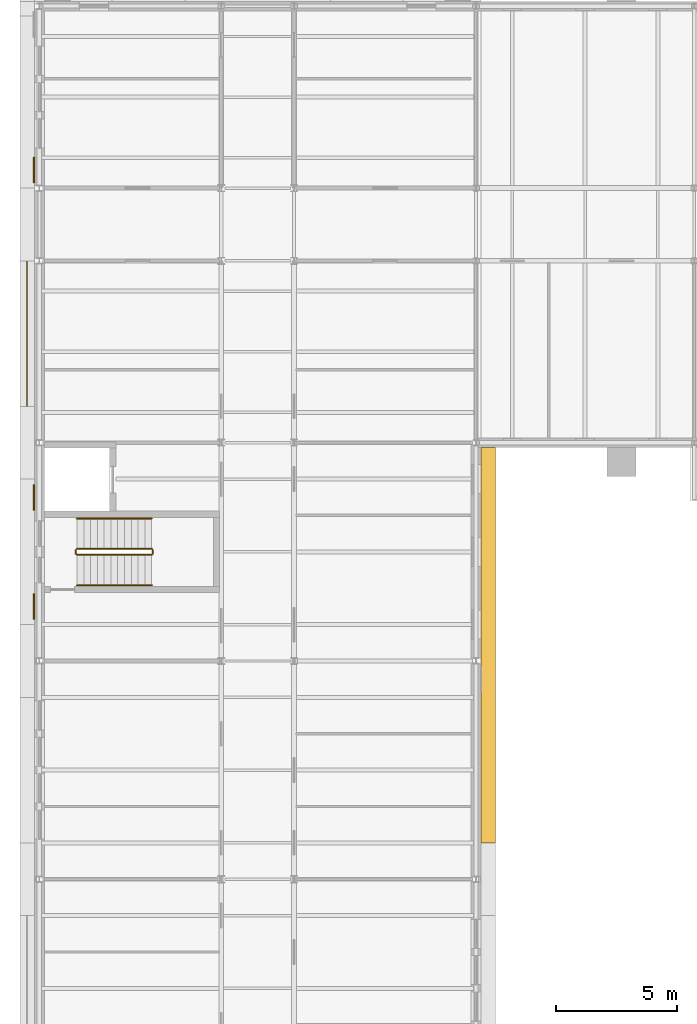
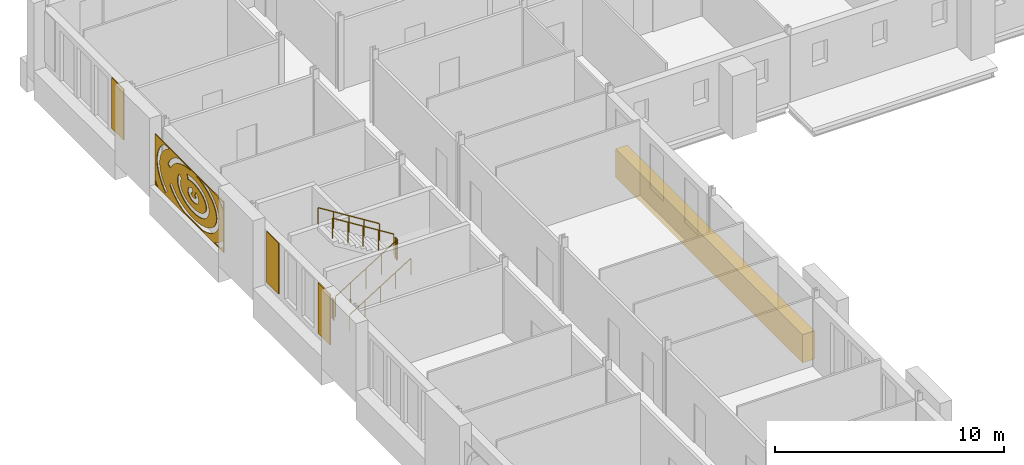
# One storey, part 118 of 121: 6 railings, 5 coverings.
"""IFC4 building model written with IfcOpenShell, lengths in metres."""

from ifc_helpers import new_model, si_unit, direction, frame, origin, origin_2d, place, context, subcontext, project, spatial, polyline, circle, outline, extrude, material, layer, layer_set, type_object, element, save


model = new_model("IFC4")

# Units and contexts
model_context = context("Model", 3, precision=1e-05, world=origin(), true_north=direction((0.0, 1.0)))
body_context = subcontext(model_context, "Body", "Model", "MODEL_VIEW")
ifc_project = project(units=[si_unit("LENGTHUNIT", "METRE"), si_unit("AREAUNIT", "SQUARE_METRE"), si_unit("VOLUMEUNIT", "CUBIC_METRE"), si_unit("PLANEANGLEUNIT", "RADIAN"), si_unit("MASSUNIT", "GRAM", prefix="KILO")], contexts=[model_context])

# Site, building, storey
site_placement = place(None, origin())
site = spatial("IfcSite", under=ifc_project, at=site_placement, CompositionType="ELEMENT")
building_placement = place(site_placement, origin())
building = spatial("IfcBuilding", under=site, at=building_placement, Name="Golden Quay Civic Hall", CompositionType="ELEMENT")
storey_placement = place(building_placement, frame((0.0, 0.0, 18.60009765625)))
storey = spatial("IfcBuildingStorey", under=building, at=storey_placement, Name="L04", CompositionType="ELEMENT", Elevation=18.60009765625)

# Covering
ifc_material_1 = material(Name="Aluminium, golden anodised, perforated", Category="aluminium")
ifc_layer_1 = layer(ifc_material_1, 0.0400390625)
ifc_layer_set_1 = layer_set([ifc_layer_1], Name="Perforated screen panel 6000 x 2700 x 40")
covering_type_1 = type_object("IfcCoveringType", Name="Perforated screen panel 6000 x 2700 x 40", PredefinedType="CLADDING", material=ifc_layer_set_1)
covering_1_placement = place(storey_placement, frame((-0.5, 67.5, 1.949951171875), z_axis=(-1.0, 0.0, 0.0), x_axis=(0.0, -1.0, 0.0)))
element("IfcCovering", 1, at=covering_1_placement, inside=storey, type_object=covering_type_1, Name="Perforated screen panel 6000 x 2700 x 40 L04 3", PredefinedType="CLADDING", context=body_context, shape_type="SweptSolid", body=[
    extrude(outline(polyline([(-3.0, -1.35009765625), (3.0, -1.35009765625), (3.0, 1.35009765625), (-3.0, 1.35009765625), (-3.0, -1.35009765625)]), holes=[polyline([(0.25830078125, 0.164794921875), (0.195068359375, 0.144287109375), (0.150390625, 0.117919921875), (0.13330078125, 0.101318359375), (0.123291015625, 0.0849609375), (0.123291015625, 0.07568359375), (0.132080078125, 0.06005859375), (0.160400390625, 0.034912109375), (0.210693359375, 0.00927734375), (0.27783203125, -0.0087890625), (0.327880859375, -0.01416015625), (0.379150390625, -0.013916015625), (0.4521484375, -0.00244140625), (0.49462890625, 0.01123046875), (0.543212890625, 0.037109375), (0.56298828125, 0.054443359375), (0.573486328125, 0.068115234375), (0.577392578125, 0.078857421875), (0.57421875, 0.09033203125), (0.556884765625, 0.111572265625), (0.533203125, 0.12939453125), (0.47607421875, 0.15576171875), (0.5634765625, 0.3837890625), (0.634033203125, 0.353271484375), (0.68896484375, 0.319091796875), (0.74365234375, 0.2705078125), (0.775390625, 0.22998046875), (0.802978515625, 0.17724609375), (0.818359375, 0.12353515625), (0.821533203125, 0.064697265625), (0.81201171875, 0.009033203125), (0.789794921875, -0.0458984375), (0.760986328125, -0.08984375), (0.718994140625, -0.134521484375), (0.680908203125, -0.164794921875), (0.625, -0.197998046875), (0.553466796875, -0.227294921875), (0.508544921875, -0.240234375), (0.43115234375, -0.25439453125), (0.35888671875, -0.259033203125), (0.279541015625, -0.255615234375), (0.201904296875, -0.24267578125), (0.156494140625, -0.23046875), (0.08447265625, -0.202392578125), (0.027587890625, -0.17041015625), (-0.01123046875, -0.141357421875), (-0.0546875, -0.09765625), (-0.084716796875, -0.05517578125), (-0.10888671875, -0.0009765625), (-0.12060546875, 0.05419921875), (-0.119873046875, 0.113037109375), (-0.106689453125, 0.16748046875), (-0.0810546875, 0.22119140625), (-0.05029296875, 0.262939453125), (-0.005859375, 0.305908203125), (0.056884765625, 0.34814453125), (0.126708984375, 0.38037109375), (0.201416015625, 0.402587890625), (0.27978515625, 0.41552734375), (0.310791015625, 0.173095703125), (0.25830078125, 0.164794921875)]), polyline([(-0.72314453125, 0.27587890625), (-0.745361328125, 0.231689453125), (-0.761474609375, 0.187255859375), (-0.77197265625, 0.14306640625), (-0.777099609375, 0.09912109375), (-0.776611328125, 0.05517578125), (-0.77099609375, 0.01123046875), (-0.759765625, -0.032958984375), (-0.74267578125, -0.077392578125), (-0.7197265625, -0.121826171875), (-0.69091796875, -0.166015625), (-0.65576171875, -0.2099609375), (-0.614501953125, -0.2529296875), (-0.5673828125, -0.294677734375), (-0.514404296875, -0.33447265625), (-0.455810546875, -0.372314453125), (-0.39208984375, -0.40771484375), (-0.323486328125, -0.4404296875), (-0.25048828125, -0.469970703125), (-0.173828125, -0.49609375), (-0.093505859375, -0.518798828125), (-0.010498046875, -0.53759765625), (0.074951171875, -0.552490234375), (0.162109375, -0.5634765625), (0.25048828125, -0.570068359375), (0.339599609375, -0.57275390625), (0.4287109375, -0.571044921875), (0.51708984375, -0.565185546875), (0.604736328125, -0.555419921875), (0.690673828125, -0.54150390625), (0.774169921875, -0.5234375), (0.855224609375, -0.501708984375), (0.932861328125, -0.476318359375), (1.006591796875, -0.44775390625), (1.076416015625, -0.415771484375), (1.14111328125, -0.381103515625), (1.201171875, -0.34375), (1.25537109375, -0.30419921875), (1.303955078125, -0.262939453125), (1.3466796875, -0.22021484375), (1.38330078125, -0.176513671875), (1.41357421875, -0.13232421875), (1.43798828125, -0.087890625), (1.456298828125, -0.04345703125), (1.46875, 0.000732421875), (1.475830078125, 0.044921875), (1.4775390625, 0.088623046875), (1.4736328125, 0.1328125), (1.464599609375, 0.1767578125), (1.44970703125, 0.22119140625), (1.428955078125, 0.265380859375), (1.402099609375, 0.309814453125), (1.369384765625, 0.35400390625), (1.330322265625, 0.397216796875), (1.285400390625, 0.439453125), (1.234619140625, 0.47998046875), (1.177978515625, 0.518798828125), (1.115966796875, 0.55517578125), (1.04931640625, 0.5888671875), (0.977783203125, 0.619384765625), (0.90234375, 0.64697265625), (0.823486328125, 0.6708984375), (0.7412109375, 0.691162109375), (0.65673828125, 0.70751953125), (0.570068359375, 0.719970703125), (0.482177734375, 0.72802734375), (0.393310546875, 0.732421875), (0.303955078125, 0.732177734375), (0.215087890625, 0.72802734375), (0.127197265625, 0.719482421875), (0.040771484375, 0.70703125), (-0.0439453125, 0.6904296875), (-0.12890625, 0.66943359375), (-0.18798828125, 0.906494140625), (-0.09375, 0.9296875), (0.002685546875, 0.948486328125), (0.10107421875, 0.96240234375), (0.19482421875, 0.971435546875), (0.295166015625, 0.9765625), (0.39599609375, 0.976806640625), (0.496337890625, 0.97216796875), (0.595947265625, 0.962890625), (0.7001953125, 0.947998046875), (0.790771484375, 0.930419921875), (0.885009765625, 0.907470703125), (0.976318359375, 0.8798828125), (1.071044921875, 0.845458984375), (1.149169921875, 0.81201171875), (1.2294921875, 0.771484375), (1.305419921875, 0.727294921875), (1.376220703125, 0.67919921875), (1.441650390625, 0.62744140625), (1.508544921875, 0.564697265625), (1.56201171875, 0.50439453125), (1.601806640625, 0.451171875), (1.6416015625, 0.385986328125), (1.674072265625, 0.318115234375), (1.7021484375, 0.23388671875), (1.716552734375, 0.160888671875), (1.721923828125, 0.087158203125), (1.718505859375, 0.013671875), (1.705810546875, -0.05908203125), (1.684814453125, -0.13037109375), (1.6611328125, -0.187255859375), (1.625, -0.2548828125), (1.574462890625, -0.328857421875), (1.5234375, -0.38916015625), (1.466064453125, -0.44580078125), (1.41015625, -0.493408203125), (1.333984375, -0.548583984375), (1.26025390625, -0.594482421875), (1.1884765625, -0.633056640625), (1.105224609375, -0.67138671875), (1.011962890625, -0.707763671875), (0.921630859375, -0.737060546875), (0.834716796875, -0.760498046875), (0.73291015625, -0.7822265625), (0.63525390625, -0.7978515625), (0.541748046875, -0.80859375), (0.435791015625, -0.8154296875), (0.341064453125, -0.817138671875), (0.240478515625, -0.814453125), (0.134765625, -0.806396484375), (0.04150390625, -0.794677734375), (-0.0556640625, -0.77783203125), (-0.15087890625, -0.75634765625), (-0.243408203125, -0.73046875), (-0.339111328125, -0.69775390625), (-0.418701171875, -0.66552734375), (-0.50048828125, -0.626708984375), (-0.585205078125, -0.579833984375), (-0.65087890625, -0.537353515625), (-0.71826171875, -0.48681640625), (-0.78759765625, -0.42578125), (-0.8359375, -0.375244140625), (-0.885498046875, -0.314208984375), (-0.934326171875, -0.2392578125), (-0.963134765625, -0.18310546875), (-0.990478515625, -0.11376953125), (-1.01220703125, -0.02783203125), (-1.02001953125, 0.031005859375), (-1.021484375, 0.1044921875), (-1.011474609375, 0.192626953125), (-0.993408203125, 0.264404296875), (-0.972412109375, 0.32177734375), (-0.93310546875, 0.401611328125), (-0.891357421875, 0.466064453125), (-0.85009765625, 0.51904296875), (-0.657470703125, 0.36865234375), (-0.695068359375, 0.3203125), (-0.72314453125, 0.27587890625)]), polyline([(-1.38134765625, -0.54541015625), (-1.310302734375, -0.610107421875), (-1.232421875, -0.672607421875), (-1.147705078125, -0.73193359375), (-1.05615234375, -0.788330078125), (-0.958740234375, -0.84130859375), (-0.855712890625, -0.890380859375), (-0.747314453125, -0.935791015625), (-0.634033203125, -0.9765625), (-0.5166015625, -1.012939453125), (-0.395263671875, -1.044921875), (-0.270751953125, -1.07177734375), (-0.1435546875, -1.09375), (-0.01416015625, -1.11083984375), (0.116943359375, -1.12255859375), (0.248779296875, -1.129150390625), (0.38134765625, -1.130615234375), (0.513427734375, -1.126708984375), (0.64501953125, -1.11767578125), (0.775390625, -1.103515625), (0.90380859375, -1.083984375), (1.02978515625, -1.059814453125), (1.15283203125, -1.030517578125), (1.2724609375, -0.996337890625), (1.387939453125, -0.957763671875), (1.4990234375, -0.914794921875), (1.60498046875, -0.867919921875), (1.70556640625, -0.81689453125), (1.800048828125, -0.76220703125), (1.888427734375, -0.704345703125), (1.97021484375, -0.643310546875), (2.044921875, -0.579833984375), (2.1123046875, -0.513916015625), (2.172119140625, -0.4462890625), (2.224609375, -0.376953125), (2.269287109375, -0.306640625), (2.30615234375, -0.235107421875), (2.335205078125, -0.163330078125), (2.356689453125, -0.091064453125), (2.37060546875, -0.018798828125), (2.377197265625, 0.053955078125), (2.376220703125, 0.12646484375), (2.36767578125, 0.198974609375), (2.3515625, 0.271240234375), (2.327880859375, 0.343505859375), (2.29638671875, 0.415283203125), (2.257568359375, 0.486328125), (2.210693359375, 0.556396484375), (2.15625, 0.62548828125), (2.093994140625, 0.692626953125), (2.024658203125, 0.7578125), (1.947998046875, 0.82080078125), (1.864501953125, 0.880859375), (1.7744140625, 0.937744140625), (1.677978515625, 0.991455078125), (1.575927734375, 1.041259765625), (1.468505859375, 1.08740234375), (1.356201171875, 1.129150390625), (1.239501953125, 1.16650390625), (1.118896484375, 1.19921875), (0.994873046875, 1.22705078125), (0.8681640625, 1.25), (0.7392578125, 1.267822265625), (0.6083984375, 1.28076171875), (0.4765625, 1.288330078125), (0.386962890625, 1.2900390625), (1.615966796875, 1.2900390625), (1.680419921875, 1.26220703125), (1.788330078125, 1.209716796875), (1.896240234375, 1.149658203125), (1.998291015625, 1.08544921875), (2.09375, 1.016845703125), (2.18896484375, 0.93896484375), (2.2646484375, 0.867919921875), (2.3388671875, 0.787841796875), (2.4111328125, 0.6962890625), (2.463623046875, 0.61767578125), (2.513427734375, 0.528076171875), (2.558349609375, 0.425048828125), (2.585693359375, 0.341796875), (2.607421875, 0.245849609375), (2.620361328125, 0.13623046875), (2.62109375, 0.03857421875), (2.61181640625, -0.058837890625), (2.5927734375, -0.155029296875), (2.56787109375, -0.23876953125), (2.530517578125, -0.33251953125), (2.478515625, -0.432861328125), (2.422607421875, -0.520263671875), (2.3642578125, -0.597412109375), (2.2861328125, -0.685791015625), (2.206298828125, -0.76318359375), (2.119384765625, -0.8369140625), (2.031494140625, -0.90234375), (1.92529296875, -0.97216796875), (1.819091796875, -1.033203125), (1.70703125, -1.08984375), (1.590087890625, -1.1416015625), (1.473388671875, -1.186767578125), (1.342041015625, -1.230712890625), (1.21728515625, -1.26611328125), (1.11767578125, -1.2900390625), (-0.41796875, -1.2900390625), (-0.586181640625, -1.247314453125), (-0.708984375, -1.209228515625), (-0.8330078125, -1.16455078125), (-0.9580078125, -1.1123046875), (-1.06689453125, -1.060546875), (-1.17578125, -1.001708984375), (-1.279052734375, -0.93798828125), (-1.3759765625, -0.870361328125), (-1.472412109375, -0.793212890625), (-1.54931640625, -0.722900390625), (-1.625244140625, -0.6435546875), (-1.693359375, -0.560546875), (-1.50390625, -0.406005859375), (-1.44482421875, -0.478515625), (-1.38134765625, -0.54541015625)]), polyline([(0.2119140625, 1.287841796875), (0.080078125, 1.27978515625), (-0.05029296875, 1.2666015625), (-0.17919921875, 1.248291015625), (-0.305908203125, 1.224853515625), (-0.429443359375, 1.1962890625), (-0.5498046875, 1.163330078125), (-0.666015625, 1.12548828125), (-0.778076171875, 1.08349609375), (-0.885009765625, 1.037109375), (-0.986572265625, 0.98681640625), (-1.08251953125, 0.93310546875), (-1.172119140625, 0.875732421875), (-1.2548828125, 0.815185546875), (-1.3310546875, 0.752197265625), (-1.39990234375, 0.68701171875), (-1.461181640625, 0.619384765625), (-1.514892578125, 0.550537109375), (-1.561279296875, 0.480224609375), (-1.599609375, 0.408935546875), (-1.632568359375, 0.331787109375), (-1.857421875, 0.427978515625), (-1.8173828125, 0.52001953125), (-1.768310546875, 0.60986328125), (-1.716552734375, 0.688720703125), (-1.64501953125, 0.780517578125), (-1.5712890625, 0.861083984375), (-1.496337890625, 0.932373046875), (-1.40185546875, 1.0107421875), (-1.306640625, 1.07958984375), (-1.211181640625, 1.140625), (-1.097900390625, 1.20458984375), (-0.990478515625, 1.257568359375), (-0.916015625, 1.2900390625), (0.308349609375, 1.2900390625), (0.2119140625, 1.287841796875)]), polyline([(2.318603515625, -1.2255859375), (2.435791015625, -1.1572265625), (2.546630859375, -1.085205078125), (2.650390625, -1.009765625), (2.746826171875, -0.93115234375), (2.835693359375, -0.849609375), (2.93994140625, -0.73876953125), (2.93994140625, -1.085693359375), (2.802001953125, -1.201416015625), (2.6796875, -1.2900390625), (2.1953125, -1.2900390625), (2.318603515625, -1.2255859375)]), polyline([(2.88720703125, 0.9580078125), (2.802978515625, 1.041015625), (2.711181640625, 1.12109375), (2.61181640625, 1.198486328125), (2.47802734375, 1.2900390625), (2.889404296875, 1.2900390625), (2.93994140625, 1.24560546875), (2.93994140625, 0.898681640625), (2.88720703125, 0.9580078125)]), polyline([(-1.844482421875, 1.24658203125), (-1.948486328125, 1.171142578125), (-2.045166015625, 1.092529296875), (-2.134033203125, 1.01123046875), (-2.21533203125, 0.927490234375), (-2.288818359375, 0.841552734375), (-2.35400390625, 0.753662109375), (-2.410888671875, 0.664306640625), (-2.45947265625, 0.57373046875), (-2.499755859375, 0.482177734375), (-2.531494140625, 0.389892578125), (-2.55517578125, 0.297119140625), (-2.5703125, 0.2041015625), (-2.5771484375, 0.110595703125), (-2.57568359375, 0.017333984375), (-2.566162109375, -0.07568359375), (-2.548095703125, -0.1689453125), (-2.521728515625, -0.261474609375), (-2.487060546875, -0.353515625), (-2.44384765625, -0.44482421875), (-2.392333984375, -0.534912109375), (-2.33251953125, -0.623779296875), (-2.2646484375, -0.711181640625), (-2.188720703125, -0.79638671875), (-2.1044921875, -0.87939453125), (-2.012939453125, -0.959716796875), (-1.9111328125, -1.039306640625), (-2.061767578125, -1.231689453125), (-2.166015625, -1.150146484375), (-2.268310546875, -1.060791015625), (-2.363037109375, -0.967529296875), (-2.44970703125, -0.870849609375), (-2.528076171875, -0.770751953125), (-2.59765625, -0.667724609375), (-2.662841796875, -0.553466796875), (-2.7099609375, -0.45361328125), (-2.752197265625, -0.343017578125), (-2.78466796875, -0.230712890625), (-2.80712890625, -0.1171875), (-2.820068359375, 0.00830078125), (-2.8212890625, 0.123291015625), (-2.813720703125, 0.227294921875), (-2.79541015625, 0.341796875), (-2.767333984375, 0.455078125), (-2.72900390625, 0.566650390625), (-2.681396484375, 0.676513671875), (-2.6240234375, 0.783935546875), (-2.5576171875, 0.888671875), (-2.477294921875, 0.9970703125), (-2.3935546875, 1.094970703125), (-2.301513671875, 1.189208984375), (-2.189697265625, 1.2900390625), (-1.777587890625, 1.2900390625), (-1.844482421875, 1.24658203125)]), polyline([(-2.93994140625, -1.103515625), (-2.815673828125, -1.223388671875), (-2.7373046875, -1.2900390625), (-2.93994140625, -1.2900390625), (-2.93994140625, -1.103515625)])]), origin(), (0.0, 0.0, 1.0), 0.0400390625),
])

# Railings
ifc_material_2 = material(Name="Steel S355", Category="steel")
railing_type_1 = type_object("IfcRailingType", Name="Steel guard 1100", PredefinedType="GUARDRAIL", material=ifc_material_2)
railing_1_placement = place(storey_placement, frame((1.550048828125, 58.375, 0.1748046875)))
element("IfcRailing", 2, at=railing_1_placement, inside=storey, type_object=railing_type_1, Name="L04 WO-N stair guard 1", PredefinedType="GUARDRAIL", context=body_context, shape_type="SweptSolid", body=[
    extrude(circle(Radius=0.02392578125, at=origin_2d()), frame((0.0, 0.0, 1.076171875), z_axis=(0.847979421464, 0.0, 0.530029150871), x_axis=(0.0, 1.0, 0.0)), (0.0, 0.0, 1.0), 3.632080078125),
    extrude(circle(Radius=0.02099609375, at=origin_2d()), origin(), (0.0, 0.0, 1.0), 1.052001953125),
    extrude(circle(Radius=0.02099609375, at=origin_2d()), frame((0.77001953125, 0.0, 0.481201171875)), (0.0, 0.0, 1.0), 1.052001953125),
    extrude(circle(Radius=0.02099609375, at=origin_2d()), frame((1.5400390625, 0.0, 0.96240234375)), (0.0, 0.0, 1.0), 1.052001953125),
    extrude(circle(Radius=0.02099609375, at=origin_2d()), frame((2.309814453125, 0.0, 1.44384765625)), (0.0, 0.0, 1.0), 1.052001953125),
    extrude(circle(Radius=0.02099609375, at=origin_2d()), frame((3.079833984375, 0.0, 1.925048828125)), (0.0, 0.0, 1.0), 1.052001953125),
])
railing_2_placement = place(storey_placement, frame((4.679931640625, 58.425048828125, 2.099853515625)))
element("IfcRailing", 3, at=railing_2_placement, inside=storey, type_object=railing_type_1, Name="L04 WO-N stair guard 2", PredefinedType="GUARDRAIL", context=body_context, shape_type="SweptSolid", body=[
    extrude(circle(Radius=0.02392578125, at=origin_2d()), frame((0.0, 0.0, 1.076171875), z_axis=(0.0, 1.0, 0.0), x_axis=(-1.0, 0.0, 0.0)), (0.0, 0.0, 1.0), 0.14990234375),
    extrude(circle(Radius=0.02099609375, at=origin_2d()), origin(), (0.0, 0.0, 1.0), 1.052001953125),
    extrude(circle(Radius=0.02099609375, at=origin_2d()), frame((0.0, 0.14990234375, 0.0)), (0.0, 0.0, 1.0), 1.052001953125),
])
railing_3_placement = place(storey_placement, frame((4.6298828125, 58.625, 2.27490234375)))
element("IfcRailing", 4, at=railing_3_placement, inside=storey, type_object=railing_type_1, Name="L04 WO-N stair guard 3", PredefinedType="GUARDRAIL", context=body_context, shape_type="SweptSolid", body=[
    extrude(circle(Radius=0.02392578125, at=origin_2d()), frame((0.0, 0.0, 1.076171875), z_axis=(-0.847979421464, 0.0, 0.530029150871), x_axis=(0.0, -1.0, 0.0)), (0.0, 0.0, 1.0), 3.632080078125),
    extrude(circle(Radius=0.02099609375, at=origin_2d()), origin(), (0.0, 0.0, 1.0), 1.052001953125),
    extrude(circle(Radius=0.02099609375, at=origin_2d()), frame((-0.77001953125, 0.0, 0.481201171875)), (0.0, 0.0, 1.0), 1.052001953125),
    extrude(circle(Radius=0.02099609375, at=origin_2d()), frame((-1.5400390625, 0.0, 0.96240234375)), (0.0, 0.0, 1.0), 1.052001953125),
    extrude(circle(Radius=0.02099609375, at=origin_2d()), frame((-2.309814453125, 0.0, 1.44384765625)), (0.0, 0.0, 1.0), 1.052001953125),
    extrude(circle(Radius=0.02099609375, at=origin_2d()), frame((-3.079833984375, 0.0, 1.925048828125)), (0.0, 0.0, 1.0), 1.052001953125),
])
railing_4_placement = place(storey_placement, frame((1.5, 58.425048828125, 0.0)))
element("IfcRailing", 5, at=railing_4_placement, inside=storey, type_object=railing_type_1, Name="L04 WO-N stair guard 4", PredefinedType="GUARDRAIL", context=body_context, shape_type="SweptSolid", body=[
    extrude(circle(Radius=0.02392578125, at=origin_2d()), frame((0.0, 0.0, 1.076171875), z_axis=(0.0, 1.0, 0.0), x_axis=(-1.0, 0.0, 0.0)), (0.0, 0.0, 1.0), 0.14990234375),
    extrude(circle(Radius=0.02099609375, at=origin_2d()), origin(), (0.0, 0.0, 1.0), 1.052001953125),
    extrude(circle(Radius=0.02099609375, at=origin_2d()), frame((0.0, 0.14990234375, 0.0)), (0.0, 0.0, 1.0), 1.052001953125),
])
ifc_material_3 = material(Name="Steel S355", Category="steel")
railing_type_2 = type_object("IfcRailingType", Name="Steel handrail 900", PredefinedType="HANDRAIL", material=ifc_material_3)
railing_5_placement = place(storey_placement, frame((1.550048828125, 57.125, 0.1748046875)))
element("IfcRailing", 6, at=railing_5_placement, inside=storey, type_object=railing_type_2, Name="L04 WO-N stair handrail 1", PredefinedType="HANDRAIL", context=body_context, shape_type="SweptSolid", body=[
    extrude(circle(Radius=0.02392578125, at=origin_2d()), frame((0.0, 0.0, 0.8759765625), z_axis=(0.847979421464, 0.0, 0.530029150871), x_axis=(0.0, 1.0, 0.0)), (0.0, 0.0, 1.0), 3.632080078125),
    extrude(circle(Radius=0.02099609375, at=origin_2d()), origin(), (0.0, 0.0, 1.0), 0.851806640625),
    extrude(circle(Radius=0.02099609375, at=origin_2d()), frame((0.77001953125, 0.0, 0.481201171875)), (0.0, 0.0, 1.0), 0.851806640625),
    extrude(circle(Radius=0.02099609375, at=origin_2d()), frame((1.5400390625, 0.0, 0.96240234375)), (0.0, 0.0, 1.0), 0.851806640625),
    extrude(circle(Radius=0.02099609375, at=origin_2d()), frame((2.309814453125, 0.0, 1.44384765625)), (0.0, 0.0, 1.0), 0.851806640625),
    extrude(circle(Radius=0.02099609375, at=origin_2d()), frame((3.079833984375, 0.0, 1.925048828125)), (0.0, 0.0, 1.0), 0.851806640625),
])
railing_6_placement = place(storey_placement, frame((4.6298828125, 59.875, 2.27490234375)))
element("IfcRailing", 7, at=railing_6_placement, inside=storey, type_object=railing_type_2, Name="L04 WO-N stair handrail 2", PredefinedType="HANDRAIL", context=body_context, shape_type="SweptSolid", body=[
    extrude(circle(Radius=0.02392578125, at=origin_2d()), frame((0.0, 0.0, 0.8759765625), z_axis=(-0.847979421464, 0.0, 0.530029150871), x_axis=(0.0, -1.0, 0.0)), (0.0, 0.0, 1.0), 3.632080078125),
    extrude(circle(Radius=0.02099609375, at=origin_2d()), origin(), (0.0, 0.0, 1.0), 0.851806640625),
    extrude(circle(Radius=0.02099609375, at=origin_2d()), frame((-0.77001953125, 0.0, 0.481201171875)), (0.0, 0.0, 1.0), 0.851806640625),
    extrude(circle(Radius=0.02099609375, at=origin_2d()), frame((-1.5400390625, 0.0, 0.96240234375)), (0.0, 0.0, 1.0), 0.851806640625),
    extrude(circle(Radius=0.02099609375, at=origin_2d()), frame((-2.309814453125, 0.0, 1.44384765625)), (0.0, 0.0, 1.0), 0.851806640625),
    extrude(circle(Radius=0.02099609375, at=origin_2d()), frame((-3.079833984375, 0.0, 1.925048828125)), (0.0, 0.0, 1.0), 0.851806640625),
])

# Coverings
ifc_material_4 = material(Name="Terracotta cladding, golden glaze", Category="masonry")
ifc_layer_2 = layer(ifc_material_4, 0.050048828125)
ifc_layer_set_2 = layer_set([ifc_layer_2], Name="Terracotta solid panel 1050 x 2700 x 50")
covering_type_2 = type_object("IfcCoveringType", Name="Terracotta solid panel 1050 x 2700 x 50", PredefinedType="CLADDING", material=ifc_layer_set_2)
covering_2_placement = place(storey_placement, frame((0.0, 0.0, 0.89990234375)))
element("IfcCovering", 8, at=covering_2_placement, inside=storey, type_object=covering_type_2, Name="Terracotta solid panel 1050 x 2700 x 50 L04 4", PredefinedType="CLADDING", context=body_context, shape_type="SweptSolid", body=[
    extrude(outline(polyline([(-0.199951171875, 55.72509765625), (-0.199951171875, 56.77490234375), (-0.25, 56.77490234375), (-0.25, 55.72509765625), (-0.199951171875, 55.72509765625)])), origin(), (0.0, 0.0, 1.0), 2.699951171875),
])
covering_3_placement = place(storey_placement, frame((0.0, 0.0, 0.89990234375)))
element("IfcCovering", 9, at=covering_3_placement, inside=storey, type_object=covering_type_2, Name="Terracotta solid panel 1050 x 2700 x 50 L04 5", PredefinedType="CLADDING", context=body_context, shape_type="SweptSolid", body=[
    extrude(outline(polyline([(-0.199951171875, 60.22509765625), (-0.199951171875, 61.27490234375), (-0.25, 61.27490234375), (-0.25, 60.22509765625), (-0.199951171875, 60.22509765625)])), origin(), (0.0, 0.0, 1.0), 2.699951171875),
])
covering_4_placement = place(storey_placement, frame((0.0, 0.0, 0.89990234375)))
element("IfcCovering", 10, at=covering_4_placement, inside=storey, type_object=covering_type_2, Name="Terracotta solid panel 1050 x 2700 x 50 L04 6", PredefinedType="CLADDING", context=body_context, shape_type="SweptSolid", body=[
    extrude(outline(polyline([(-0.199951171875, 73.72509765625), (-0.199951171875, 74.77490234375), (-0.25, 74.77490234375), (-0.25, 73.72509765625), (-0.199951171875, 73.72509765625)])), origin(), (0.0, 0.0, 1.0), 2.699951171875),
])
ifc_material_5 = material(Name="Terracotta cladding, golden glaze", Category="masonry")
covering_type_3 = type_object("IfcCoveringType", Name="Terracotta spandrel fascia 600 x 1500", PredefinedType="CLADDING", material=ifc_material_5)
covering_5_placement = place(storey_placement, frame((0.0, 0.0, -0.900146484375)))
element("IfcCovering", 11, at=covering_5_placement, inside=storey, type_object=covering_type_3, Name="Terracotta spandrel fascia 600 x 1500 L04 4", PredefinedType="CLADDING", context=body_context, shape_type="SweptSolid", body=[
    extrude(outline(polyline([(18.199951171875, 62.800048828125), (18.800048828125, 62.800048828125), (18.800048828125, 46.5), (18.199951171875, 46.5), (18.199951171875, 62.800048828125)])), origin(), (0.0, 0.0, 1.0), 1.5),
])

save(model, "model.ifc")
